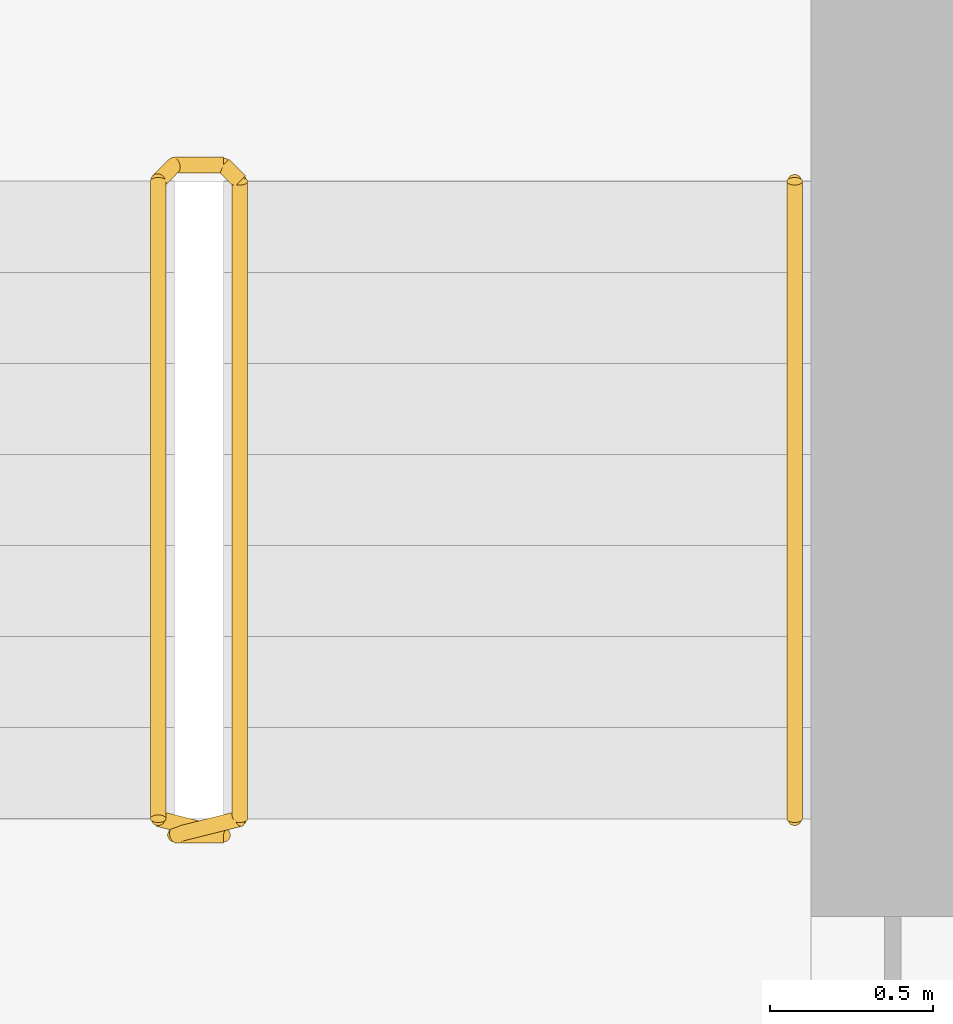
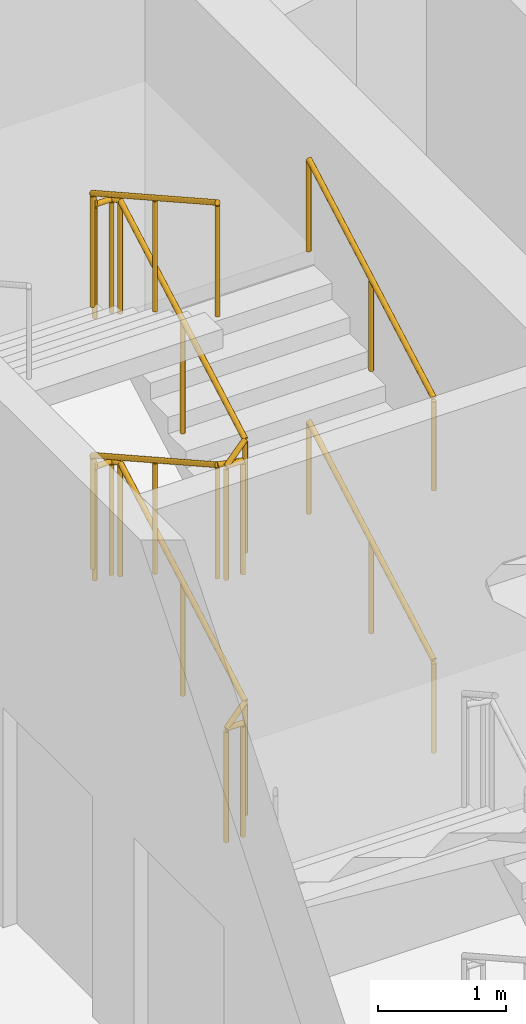
# One storey, part 9 of 9: 3 railings.
"""IFC4 building model written with IfcOpenShell, lengths in metres."""

from ifc_helpers import new_model, si_unit, direction, frame, origin, origin_2d, place, context, subcontext, project, spatial, circle, extrude, material, type_object, element, save


model = new_model("IFC4")

# Units and contexts
model_context = context("Model", 3, precision=1e-05, world=origin(), true_north=direction((0.0, 1.0)))
body_context = subcontext(model_context, "Body", "Model", "MODEL_VIEW")
ifc_project = project(units=[si_unit("LENGTHUNIT", "METRE"), si_unit("AREAUNIT", "SQUARE_METRE"), si_unit("VOLUMEUNIT", "CUBIC_METRE"), si_unit("PLANEANGLEUNIT", "RADIAN"), si_unit("MASSUNIT", "GRAM", prefix="KILO")], contexts=[model_context])

# Site, building, storey
site_placement = place(None, origin())
site = spatial("IfcSite", under=ifc_project, at=site_placement, CompositionType="ELEMENT")
building_placement = place(site_placement, origin())
building = spatial("IfcBuilding", under=site, at=building_placement, Name="Calabash Gate Tower", CompositionType="ELEMENT")
storey_placement = place(building_placement, frame((0.0, 0.0, 320.5)))
storey = spatial("IfcBuildingStorey", under=building, at=storey_placement, Name="L75", CompositionType="ELEMENT", Elevation=320.5)

# Railings
ifc_material_1 = material(Name="Black powder-coated steel balusters", Category="steel")
railing_type_1 = type_object("IfcRailingType", Name="Stair guard RL1100", PredefinedType="GUARDRAIL", material=ifc_material_1)
railing_placement = place(storey_placement, frame((10.300048828125, 13.902587890625, 0.0)))
element("IfcRailing", 1, at=railing_placement, inside=storey, type_object=railing_type_1, Name="L75 ST3 stair guard 1", PredefinedType="GUARDRAIL", context=body_context, shape_type="SweptSolid", body=[
    extrude(circle(Radius=0.02392578125, at=origin_2d()), frame((0.0, 0.0, 1.076171875), z_axis=(-1.0, 0.0, 0.0), x_axis=(0.0, -1.0, 0.0)), (0.0, 0.0, 1.0), 0.150146484375),
    extrude(circle(Radius=0.02392578125, at=origin_2d()), frame((-0.150146484375, 0.0, 1.076171875), z_axis=(0.773438643492, 0.193359660873, 0.603659429067), x_axis=(-0.242535625036, 0.970142500145, 0.0)), (0.0, 0.0, 1.0), 0.2587890625),
    extrude(circle(Radius=0.02392578125, at=origin_2d()), frame((0.050048828125, 0.050048828125, 1.232421875), z_axis=(0.0, 0.872479975208, 0.48864986735), x_axis=(-1.0, 0.0, 0.0)), (0.0, 0.0, 1.0), 2.23828125),
    extrude(circle(Radius=0.02392578125, at=origin_2d()), frame((0.050048828125, 2.0029296875, 2.326171875), z_axis=(-0.707106781187, 0.707106781187, 0.0), x_axis=(-0.707106781187, -0.707106781187, 0.0)), (0.0, 0.0, 1.0), 0.07080078125),
    extrude(circle(Radius=0.02392578125, at=origin_2d()), frame((0.0, 2.052978515625, 2.326171875), z_axis=(-1.0, 0.0, 0.0), x_axis=(0.0, -1.0, 0.0)), (0.0, 0.0, 1.0), 0.150146484375),
    extrude(circle(Radius=0.02392578125, at=origin_2d()), frame((-0.150146484375, 2.052978515625, 2.326171875), z_axis=(-0.290469530425, -0.291893400672, 0.911276958196), x_axis=(0.708833529934, -0.705375805398, 0.0)), (0.0, 0.0, 1.0), 0.17138671875),
    extrude(circle(Radius=0.02392578125, at=origin_2d()), frame((-0.199951171875, 2.0029296875, 2.482421875), z_axis=(0.0, -0.872479975208, 0.48864986735), x_axis=(1.0, 0.0, 0.0)), (0.0, 0.0, 1.0), 2.23828125),
    extrude(circle(Radius=0.02392578125, at=origin_2d()), frame((-0.199951171875, 0.050048828125, 3.576171875), z_axis=(0.970072785993, -0.242814311512, 0.0), x_axis=(0.242814311512, 0.970072785993, 0.0)), (0.0, 0.0, 1.0), 0.2060546875),
    extrude(circle(Radius=0.02392578125, at=origin_2d()), frame((0.0, 0.0, 3.576171875), z_axis=(-1.0, 0.0, 0.0), x_axis=(0.0, -1.0, 0.0)), (0.0, 0.0, 1.0), 0.150146484375),
    extrude(circle(Radius=0.02392578125, at=origin_2d()), frame((-0.150146484375, 0.0, 3.576171875), z_axis=(0.773438643492, 0.193359660873, 0.603659429067), x_axis=(-0.242535625036, 0.970142500145, 0.0)), (0.0, 0.0, 1.0), 0.2587890625),
    extrude(circle(Radius=0.02392578125, at=origin_2d()), frame((0.050048828125, 0.050048828125, 3.732421875), z_axis=(0.0, 0.872479975208, 0.48864986735), x_axis=(-1.0, 0.0, 0.0)), (0.0, 0.0, 1.0), 2.23828125),
    extrude(circle(Radius=0.02392578125, at=origin_2d()), frame((0.050048828125, 2.0029296875, 4.826171875), z_axis=(-0.707106781187, 0.707106781187, 0.0), x_axis=(-0.707106781187, -0.707106781187, 0.0)), (0.0, 0.0, 1.0), 0.07080078125),
    extrude(circle(Radius=0.02392578125, at=origin_2d()), frame((0.0, 2.052978515625, 4.826171875), z_axis=(-1.0, 0.0, 0.0), x_axis=(0.0, -1.0, 0.0)), (0.0, 0.0, 1.0), 0.150146484375),
    extrude(circle(Radius=0.02392578125, at=origin_2d()), frame((-0.150146484375, 2.052978515625, 4.826171875), z_axis=(-0.290469530425, -0.291893400672, 0.911276958196), x_axis=(0.708833529934, -0.705375805398, 0.0)), (0.0, 0.0, 1.0), 0.17138671875),
    extrude(circle(Radius=0.02392578125, at=origin_2d()), frame((-0.199951171875, 2.0029296875, 4.982421875), z_axis=(0.0, -0.872479975208, 0.48864986735), x_axis=(1.0, 0.0, 0.0)), (0.0, 0.0, 1.0), 2.23828125),
    extrude(circle(Radius=0.02099609375, at=origin_2d()), origin(), (0.0, 0.0, 1.0), 1.052001953125),
    extrude(circle(Radius=0.02099609375, at=origin_2d()), frame((-0.150146484375, 0.0, 0.0)), (0.0, 0.0, 1.0), 1.052001953125),
    extrude(circle(Radius=0.02099609375, at=origin_2d()), frame((0.050048828125, 0.050048828125, 0.15625)), (0.0, 0.0, 1.0), 1.052001953125),
    extrude(circle(Radius=0.02099609375, at=origin_2d()), frame((0.050048828125, 1.0263671875, 0.703125)), (0.0, 0.0, 1.0), 1.052001953125),
    extrude(circle(Radius=0.02099609375, at=origin_2d()), frame((0.050048828125, 2.0029296875, 1.25)), (0.0, 0.0, 1.0), 1.052001953125),
    extrude(circle(Radius=0.02099609375, at=origin_2d()), frame((0.0, 2.052978515625, 1.25)), (0.0, 0.0, 1.0), 1.052001953125),
    extrude(circle(Radius=0.02099609375, at=origin_2d()), frame((-0.150146484375, 2.052978515625, 1.25)), (0.0, 0.0, 1.0), 1.052001953125),
    extrude(circle(Radius=0.02099609375, at=origin_2d()), frame((-0.199951171875, 2.0029296875, 1.40625)), (0.0, 0.0, 1.0), 1.052001953125),
    extrude(circle(Radius=0.02099609375, at=origin_2d()), frame((-0.199951171875, 1.0263671875, 1.953125)), (0.0, 0.0, 1.0), 1.052001953125),
    extrude(circle(Radius=0.02099609375, at=origin_2d()), frame((-0.199951171875, 0.050048828125, 2.5)), (0.0, 0.0, 1.0), 1.052001953125),
    extrude(circle(Radius=0.02099609375, at=origin_2d()), frame((0.0, 0.0, 2.5)), (0.0, 0.0, 1.0), 1.052001953125),
    extrude(circle(Radius=0.02099609375, at=origin_2d()), frame((-0.150146484375, 0.0, 2.5)), (0.0, 0.0, 1.0), 1.052001953125),
    extrude(circle(Radius=0.02099609375, at=origin_2d()), frame((0.050048828125, 0.050048828125, 2.65625)), (0.0, 0.0, 1.0), 1.052001953125),
    extrude(circle(Radius=0.02099609375, at=origin_2d()), frame((0.050048828125, 1.0263671875, 3.203125)), (0.0, 0.0, 1.0), 1.052001953125),
    extrude(circle(Radius=0.02099609375, at=origin_2d()), frame((0.050048828125, 2.0029296875, 3.75)), (0.0, 0.0, 1.0), 1.052001953125),
    extrude(circle(Radius=0.02099609375, at=origin_2d()), frame((0.0, 2.052978515625, 3.75)), (0.0, 0.0, 1.0), 1.052001953125),
    extrude(circle(Radius=0.02099609375, at=origin_2d()), frame((-0.150146484375, 2.052978515625, 3.75)), (0.0, 0.0, 1.0), 1.052001953125),
    extrude(circle(Radius=0.02099609375, at=origin_2d()), frame((-0.199951171875, 2.0029296875, 3.90625)), (0.0, 0.0, 1.0), 1.052001953125),
    extrude(circle(Radius=0.02099609375, at=origin_2d()), frame((-0.199951171875, 1.0263671875, 4.453125)), (0.0, 0.0, 1.0), 1.052001953125),
    extrude(circle(Radius=0.02099609375, at=origin_2d()), frame((-0.199951171875, 0.050048828125, 5.0)), (0.0, 0.0, 1.0), 1.052001953125),
])
ifc_material_2 = material(Name="Black powder-coated steel tube 48 mm", Category="steel")
railing_type_2 = type_object("IfcRailingType", Name="Stair handrail RL900", PredefinedType="HANDRAIL", material=ifc_material_2)
for number, where, name in (
    (2, (12.050048828125, 13.95263671875, 0.15625), "L75 ST3 stair handrail 1"),
    (3, (12.050048828125, 13.95263671875, 2.65625), "L75 ST3 stair handrail 3"),
):
    element("IfcRailing", number, at=place(storey_placement, frame(where)), inside=storey, type_object=railing_type_2, Name=name, PredefinedType="HANDRAIL", context=body_context, shape_type="SweptSolid", body=[
        extrude(circle(Radius=0.02392578125, at=origin_2d()), frame((0.0, 0.0, 0.8759765625), z_axis=(0.0, 0.872479975208, 0.48864986735), x_axis=(-1.0, 0.0, 0.0)), (0.0, 0.0, 1.0), 2.23828125),
        extrude(circle(Radius=0.02099609375, at=origin_2d()), origin(), (0.0, 0.0, 1.0), 0.851806640625),
        extrude(circle(Radius=0.02099609375, at=origin_2d()), frame((0.0, 0.9765625, 0.546875)), (0.0, 0.0, 1.0), 0.851806640625),
        extrude(circle(Radius=0.02099609375, at=origin_2d()), frame((0.0, 1.952880859375, 1.09375)), (0.0, 0.0, 1.0), 0.851806640625),
    ])

save(model, "model.ifc")
